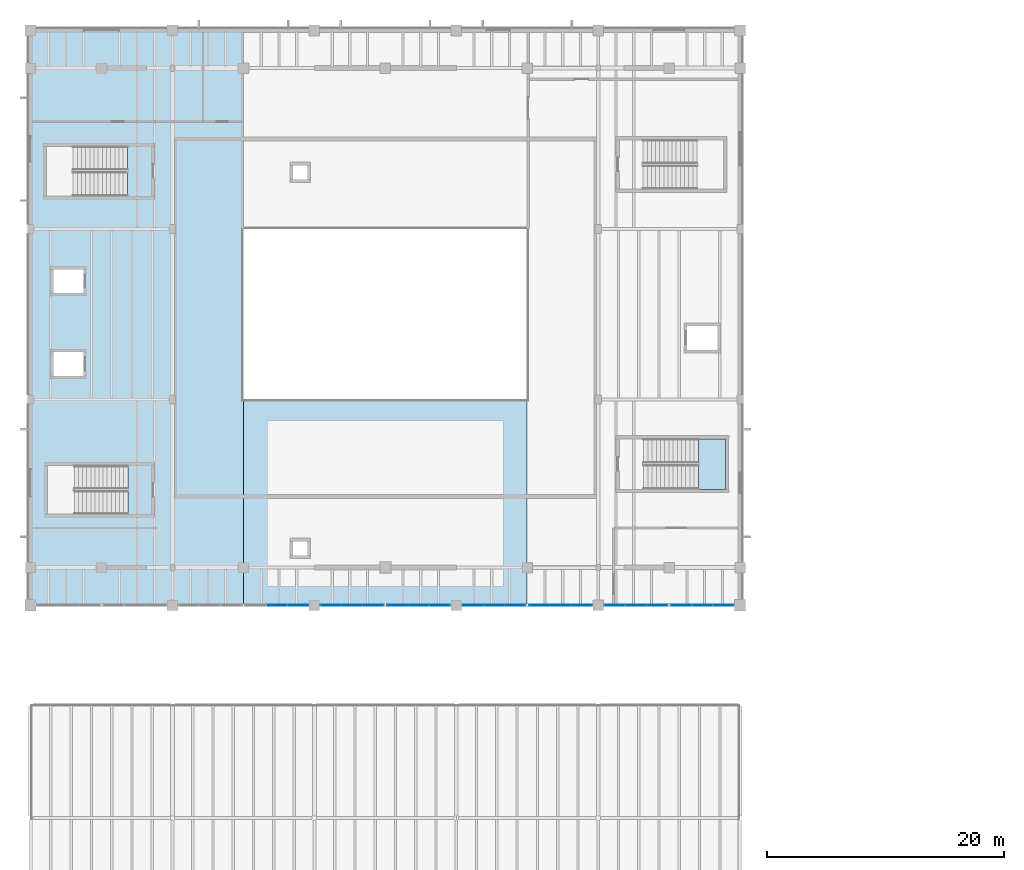
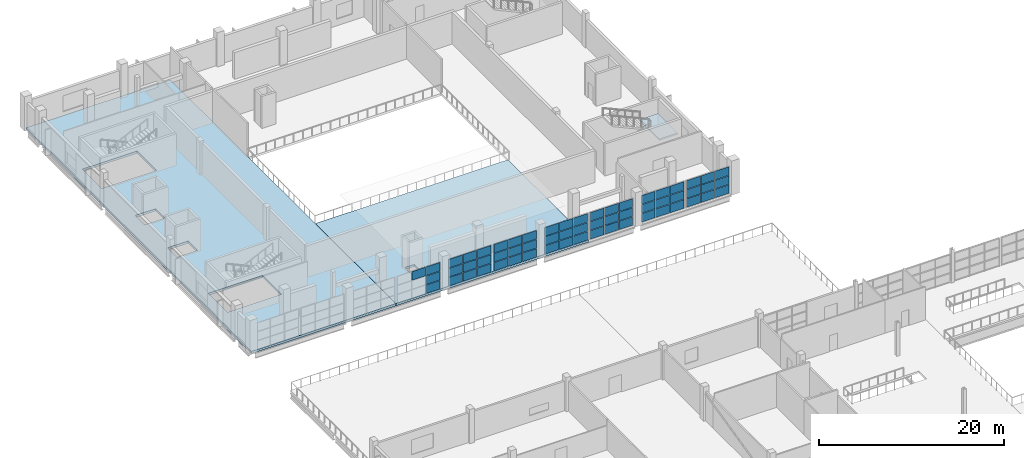
# One storey, part 51 of 78: 58 plates, 3 slabs, 8 elements without a shape of their own.
"""IFC4 building model written with IfcOpenShell, lengths in metres."""

from ifc_helpers import new_model, si_unit, direction, frame, origin, origin_2d, place, context, subcontext, project, spatial, polyline, rectangle, outline, extrude, material, layer, layer_set, type_object, element, aggregate, save


model = new_model("IFC4")

# Units and contexts
model_context = context("Model", 3, precision=1e-05, world=origin(), true_north=direction((0.0, 1.0)))
body_context = subcontext(model_context, "Body", "Model", "MODEL_VIEW")
ifc_project = project(units=[si_unit("LENGTHUNIT", "METRE"), si_unit("AREAUNIT", "SQUARE_METRE"), si_unit("VOLUMEUNIT", "CUBIC_METRE"), si_unit("PLANEANGLEUNIT", "RADIAN"), si_unit("MASSUNIT", "GRAM", prefix="KILO")], contexts=[model_context])

# Site, building, storey
site_placement = place(None, origin())
site = spatial("IfcSite", under=ifc_project, at=site_placement, CompositionType="ELEMENT")
building_placement = place(site_placement, origin())
building = spatial("IfcBuilding", under=site, at=building_placement, Name="Kelmvaro Bay Concert Hall", CompositionType="ELEMENT")
storey_placement = place(building_placement, frame((0.0, 0.0, 9.300048828125)))
storey = spatial("IfcBuildingStorey", under=building, at=storey_placement, Name="L02", CompositionType="ELEMENT", Elevation=9.300048828125)

# Slabs
ifc_material_1 = material(Name="Concrete C40/50", Category="concrete")
ifc_layer_1 = layer(ifc_material_1, 0.300048828125)
ifc_layer_set_1 = layer_set([ifc_layer_1], Name="Concrete C40/50")
slab_type_1 = type_object("IfcSlabType", Name="Auditorium Tier Structural Slab 300", PredefinedType="FLOOR", material=ifc_layer_set_1)
slab_1_placement = place(storey_placement, frame((0.0, 0.0, -0.300048828125)))
element("IfcSlab", 1, at=slab_1_placement, inside=storey, type_object=slab_type_1, Name="L02 Structural Slab V1-W", PredefinedType="FLOOR", context=body_context, shape_type="SweptSolid", body=[
    extrude(outline(polyline([(0.0, 65.39990234375), (18.0, 65.39990234375), (18.0, 114.0), (0.0, 114.0), (0.0, 65.39990234375)]), holes=[polyline([(1.45068359375, 73.090576171875), (8.219482421875, 73.090576171875), (8.219482421875, 77.199462890625), (1.45068359375, 77.199462890625), (1.45068359375, 73.090576171875)]), polyline([(1.3505859375, 100.010498046875), (8.179443359375, 100.010498046875), (8.179443359375, 104.199462890625), (1.3505859375, 104.199462890625), (1.3505859375, 100.010498046875)]), polyline([(1.925048828125, 84.800048828125), (4.47509765625, 84.800048828125), (4.47509765625, 86.800048828125), (1.925048828125, 86.800048828125), (1.925048828125, 84.800048828125)]), polyline([(1.925048828125, 91.800048828125), (4.47509765625, 91.800048828125), (4.47509765625, 93.800048828125), (1.925048828125, 93.800048828125), (1.925048828125, 91.800048828125)])]), origin(), (0.0, 0.0, 1.0), 0.300048828125),
])
slab_2_placement = place(storey_placement, frame((0.0, 0.0, -0.300048828125)))
element("IfcSlab", 2, at=slab_2_placement, inside=storey, type_object=slab_type_1, Name="L02 Structural Slab V1-M", PredefinedType="FLOOR", context=body_context, shape_type="SweptSolid", body=[
    extrude(outline(polyline([(18.0, 65.39990234375), (42.0, 65.39990234375), (42.0, 82.800048828125), (18.0, 82.800048828125), (18.0, 65.39990234375)]), holes=[polyline([(22.199951171875, 69.60009765625), (23.39990234375, 69.60009765625), (23.39990234375, 70.800048828125), (22.199951171875, 70.800048828125), (22.199951171875, 69.60009765625)])]), origin(), (0.0, 0.0, 1.0), 0.300048828125),
])

# Stair, slab
ifc_material_2 = material(Name="Concrete C40/50", Category="concrete")
stair_type = type_object("IfcStairType", Name="Core Dogleg Exit Stair 2050", PredefinedType="USERDEFINED", material=ifc_material_2)
stair_placement = place(storey_placement, origin())
stair = element("IfcStair", 3, at=stair_placement, inside=storey, type_object=stair_type, Name="L02 Exit Stair ST-04", ObjectType="TWO_RETURN_STAIR", PredefinedType="USERDEFINED")
ifc_material_3 = material(Name="Concrete C40/50", Category="concrete")
ifc_layer_2 = layer(ifc_material_3, 0.199951171875)
ifc_layer_set_2 = layer_set([ifc_layer_2], Name="Concrete C40/50")
slab_type_2 = type_object("IfcSlabType", Name="Core Stair Half-Landing Slab 200", PredefinedType="LANDING", material=ifc_layer_set_2)
slab_3_placement = place(storey_placement, frame((0.0, 0.0, 2.050048828125)))
slab_3 = element("IfcSlab", 4, at=slab_3_placement, type_object=slab_type_2, Name="ST-04 landing 1", PredefinedType="LANDING", context=body_context, shape_type="SweptSolid", body=[
    extrude(outline(polyline([(56.465087890625, 75.199951171875), (58.75, 75.199951171875), (58.75, 79.449951171875), (56.465087890625, 79.449951171875), (56.465087890625, 75.199951171875)])), origin(), (0.0, 0.0, 1.0), 0.199951171875),
])
aggregate(stair, [slab_3])

# Curtain wall, plates
ifc_material_4 = material(Name="Anodised Aluminium and Low-E Insulated Glazing", Category="aluminium")
curtain_wall_type = type_object("IfcCurtainWallType", Name="Symphony South Gallery Curtain Wall 3920", PredefinedType="USERDEFINED", material=ifc_material_4)
curtain_wall_1_placement = place(storey_placement, origin())
curtain_wall_1 = element("IfcCurtainWall", 5, at=curtain_wall_1_placement, inside=storey, type_object=curtain_wall_type, Name="Unitised Curtain Wall CW-L02-013", ObjectType="UNITISED GLAZING", PredefinedType="USERDEFINED")
ifc_material_5 = material(Name="Laminated Low-E Insulated Glass", Category="glass")
ifc_layer_3 = layer(ifc_material_5, 1.85009765625)
ifc_layer_set_3 = layer_set([ifc_layer_3], Name="Laminated Low-E Insulated Glass")
plate_type = type_object("IfcPlateType", Name="Symphony Foyer Triple Acoustic Glass 60", PredefinedType="CURTAIN_PANEL", material=ifc_layer_set_3)
plate_1_placement = place(storey_placement, frame((22.6025390625, 65.39990234375, 0.0322265625), z_axis=(0.0, 0.0, 1.0), x_axis=(-1.0, 0.0, 0.0)))
plate_1 = element("IfcPlate", 6, at=plate_1_placement, type_object=plate_type, Name="CW-L02-013 Insulated Glazing Panel 01-1", PredefinedType="CURTAIN_PANEL", context=body_context, shape_type="SweptSolid", body=[
    extrude(rectangle(XDim=1.719970703125, YDim=0.06005859375, at=origin_2d()), origin(), (0.0, 0.0, 1.0), 1.124755859375),
])
plate_2_placement = place(storey_placement, frame((22.6025390625, 65.39990234375, 1.22216796875), z_axis=(0.0, 0.0, 1.0), x_axis=(-1.0, 0.0, 0.0)))
plate_2 = element("IfcPlate", 7, at=plate_2_placement, type_object=plate_type, Name="CW-L02-013 Insulated Glazing Panel 01-2", PredefinedType="CURTAIN_PANEL", context=body_context, shape_type="SweptSolid", body=[
    extrude(rectangle(XDim=1.719970703125, YDim=0.06005859375, at=origin_2d()), origin(), (0.0, 0.0, 1.0), 1.12451171875),
])
plate_3_placement = place(storey_placement, frame((22.6025390625, 65.39990234375, 2.41162109375), z_axis=(0.0, 0.0, 1.0), x_axis=(-1.0, 0.0, 0.0)))
plate_3 = element("IfcPlate", 8, at=plate_3_placement, type_object=plate_type, Name="CW-L02-013 Insulated Glazing Panel 01-3", PredefinedType="CURTAIN_PANEL", context=body_context, shape_type="SweptSolid", body=[
    extrude(rectangle(XDim=1.719970703125, YDim=0.06005859375, at=origin_2d()), origin(), (0.0, 0.0, 1.0), 1.124755859375),
])
plate_4_placement = place(storey_placement, frame((20.8173828125, 65.39990234375, 2.41162109375), z_axis=(0.0, 0.0, 1.0), x_axis=(-1.0, 0.0, 0.0)))
plate_4 = element("IfcPlate", 9, at=plate_4_placement, type_object=plate_type, Name="CW-L02-013 Insulated Glazing Panel 02-3", PredefinedType="CURTAIN_PANEL", context=body_context, shape_type="SweptSolid", body=[
    extrude(rectangle(XDim=1.719970703125, YDim=0.06005859375, at=origin_2d()), origin(), (0.0, 0.0, 1.0), 1.124755859375),
])
aggregate(curtain_wall_1, [plate_1, plate_2, plate_3, plate_4])

curtain_wall_2_placement = place(storey_placement, origin())
curtain_wall_2 = element("IfcCurtainWall", 10, at=curtain_wall_2_placement, inside=storey, type_object=curtain_wall_type, Name="Unitised Curtain Wall CW-L02-014", ObjectType="UNITISED GLAZING", PredefinedType="USERDEFINED")
plate_5_placement = place(storey_placement, frame((28.967529296875, 65.39990234375, 0.0322265625), z_axis=(0.0, 0.0, 1.0), x_axis=(-1.0, 0.0, 0.0)))
plate_5 = element("IfcPlate", 11, at=plate_5_placement, type_object=plate_type, Name="CW-L02-014 Insulated Glazing Panel 01-1", PredefinedType="CURTAIN_PANEL", context=body_context, shape_type="SweptSolid", body=[
    extrude(rectangle(XDim=1.719970703125, YDim=0.06005859375, at=origin_2d()), origin(), (0.0, 0.0, 1.0), 1.124755859375),
])
plate_6_placement = place(storey_placement, frame((28.967529296875, 65.39990234375, 1.22216796875), z_axis=(0.0, 0.0, 1.0), x_axis=(-1.0, 0.0, 0.0)))
plate_6 = element("IfcPlate", 12, at=plate_6_placement, type_object=plate_type, Name="CW-L02-014 Insulated Glazing Panel 01-2", PredefinedType="CURTAIN_PANEL", context=body_context, shape_type="SweptSolid", body=[
    extrude(rectangle(XDim=1.719970703125, YDim=0.06005859375, at=origin_2d()), origin(), (0.0, 0.0, 1.0), 1.12451171875),
])
plate_7_placement = place(storey_placement, frame((28.967529296875, 65.39990234375, 2.41162109375), z_axis=(0.0, 0.0, 1.0), x_axis=(-1.0, 0.0, 0.0)))
plate_7 = element("IfcPlate", 13, at=plate_7_placement, type_object=plate_type, Name="CW-L02-014 Insulated Glazing Panel 01-3", PredefinedType="CURTAIN_PANEL", context=body_context, shape_type="SweptSolid", body=[
    extrude(rectangle(XDim=1.719970703125, YDim=0.06005859375, at=origin_2d()), origin(), (0.0, 0.0, 1.0), 1.124755859375),
])
plate_8_placement = place(storey_placement, frame((27.1826171875, 65.39990234375, 0.0322265625), z_axis=(0.0, 0.0, 1.0), x_axis=(-1.0, 0.0, 0.0)))
plate_8 = element("IfcPlate", 14, at=plate_8_placement, type_object=plate_type, Name="CW-L02-014 Insulated Glazing Panel 02-1", PredefinedType="CURTAIN_PANEL", context=body_context, shape_type="SweptSolid", body=[
    extrude(rectangle(XDim=1.719970703125, YDim=0.06005859375, at=origin_2d()), origin(), (0.0, 0.0, 1.0), 1.124755859375),
])
plate_9_placement = place(storey_placement, frame((27.1826171875, 65.39990234375, 1.22216796875), z_axis=(0.0, 0.0, 1.0), x_axis=(-1.0, 0.0, 0.0)))
plate_9 = element("IfcPlate", 15, at=plate_9_placement, type_object=plate_type, Name="CW-L02-014 Insulated Glazing Panel 02-2", PredefinedType="CURTAIN_PANEL", context=body_context, shape_type="SweptSolid", body=[
    extrude(rectangle(XDim=1.719970703125, YDim=0.06005859375, at=origin_2d()), origin(), (0.0, 0.0, 1.0), 1.12451171875),
])
plate_10_placement = place(storey_placement, frame((27.1826171875, 65.39990234375, 2.41162109375), z_axis=(0.0, 0.0, 1.0), x_axis=(-1.0, 0.0, 0.0)))
plate_10 = element("IfcPlate", 16, at=plate_10_placement, type_object=plate_type, Name="CW-L02-014 Insulated Glazing Panel 02-3", PredefinedType="CURTAIN_PANEL", context=body_context, shape_type="SweptSolid", body=[
    extrude(rectangle(XDim=1.719970703125, YDim=0.06005859375, at=origin_2d()), origin(), (0.0, 0.0, 1.0), 1.124755859375),
])
plate_11_placement = place(storey_placement, frame((25.3974609375, 65.39990234375, 0.0322265625), z_axis=(0.0, 0.0, 1.0), x_axis=(-1.0, 0.0, 0.0)))
plate_11 = element("IfcPlate", 17, at=plate_11_placement, type_object=plate_type, Name="CW-L02-014 Insulated Glazing Panel 03-1", PredefinedType="CURTAIN_PANEL", context=body_context, shape_type="SweptSolid", body=[
    extrude(rectangle(XDim=1.719970703125, YDim=0.06005859375, at=origin_2d()), origin(), (0.0, 0.0, 1.0), 1.124755859375),
])
plate_12_placement = place(storey_placement, frame((25.3974609375, 65.39990234375, 1.22216796875), z_axis=(0.0, 0.0, 1.0), x_axis=(-1.0, 0.0, 0.0)))
plate_12 = element("IfcPlate", 18, at=plate_12_placement, type_object=plate_type, Name="CW-L02-014 Insulated Glazing Panel 03-2", PredefinedType="CURTAIN_PANEL", context=body_context, shape_type="SweptSolid", body=[
    extrude(rectangle(XDim=1.719970703125, YDim=0.06005859375, at=origin_2d()), origin(), (0.0, 0.0, 1.0), 1.12451171875),
])
plate_13_placement = place(storey_placement, frame((25.3974609375, 65.39990234375, 2.41162109375), z_axis=(0.0, 0.0, 1.0), x_axis=(-1.0, 0.0, 0.0)))
plate_13 = element("IfcPlate", 19, at=plate_13_placement, type_object=plate_type, Name="CW-L02-014 Insulated Glazing Panel 03-3", PredefinedType="CURTAIN_PANEL", context=body_context, shape_type="SweptSolid", body=[
    extrude(rectangle(XDim=1.719970703125, YDim=0.06005859375, at=origin_2d()), origin(), (0.0, 0.0, 1.0), 1.124755859375),
])
aggregate(curtain_wall_2, [plate_5, plate_6, plate_7, plate_8, plate_9, plate_10, plate_11, plate_12, plate_13])

curtain_wall_3_placement = place(storey_placement, origin())
curtain_wall_3 = element("IfcCurtainWall", 20, at=curtain_wall_3_placement, inside=storey, type_object=curtain_wall_type, Name="Unitised Curtain Wall CW-L02-015", ObjectType="UNITISED GLAZING", PredefinedType="USERDEFINED")
plate_14_placement = place(storey_placement, frame((34.6025390625, 65.39990234375, 0.0322265625), z_axis=(0.0, 0.0, 1.0), x_axis=(-1.0, 0.0, 0.0)))
plate_14 = element("IfcPlate", 21, at=plate_14_placement, type_object=plate_type, Name="CW-L02-015 Insulated Glazing Panel 01-1", PredefinedType="CURTAIN_PANEL", context=body_context, shape_type="SweptSolid", body=[
    extrude(rectangle(XDim=1.719970703125, YDim=0.06005859375, at=origin_2d()), origin(), (0.0, 0.0, 1.0), 1.124755859375),
])
plate_15_placement = place(storey_placement, frame((34.6025390625, 65.39990234375, 1.22216796875), z_axis=(0.0, 0.0, 1.0), x_axis=(-1.0, 0.0, 0.0)))
plate_15 = element("IfcPlate", 22, at=plate_15_placement, type_object=plate_type, Name="CW-L02-015 Insulated Glazing Panel 01-2", PredefinedType="CURTAIN_PANEL", context=body_context, shape_type="SweptSolid", body=[
    extrude(rectangle(XDim=1.719970703125, YDim=0.06005859375, at=origin_2d()), origin(), (0.0, 0.0, 1.0), 1.12451171875),
])
plate_16_placement = place(storey_placement, frame((34.6025390625, 65.39990234375, 2.41162109375), z_axis=(0.0, 0.0, 1.0), x_axis=(-1.0, 0.0, 0.0)))
plate_16 = element("IfcPlate", 23, at=plate_16_placement, type_object=plate_type, Name="CW-L02-015 Insulated Glazing Panel 01-3", PredefinedType="CURTAIN_PANEL", context=body_context, shape_type="SweptSolid", body=[
    extrude(rectangle(XDim=1.719970703125, YDim=0.06005859375, at=origin_2d()), origin(), (0.0, 0.0, 1.0), 1.124755859375),
])
plate_17_placement = place(storey_placement, frame((32.8173828125, 65.39990234375, 0.0322265625), z_axis=(0.0, 0.0, 1.0), x_axis=(-1.0, 0.0, 0.0)))
plate_17 = element("IfcPlate", 24, at=plate_17_placement, type_object=plate_type, Name="CW-L02-015 Insulated Glazing Panel 02-1", PredefinedType="CURTAIN_PANEL", context=body_context, shape_type="SweptSolid", body=[
    extrude(rectangle(XDim=1.719970703125, YDim=0.06005859375, at=origin_2d()), origin(), (0.0, 0.0, 1.0), 1.124755859375),
])
plate_18_placement = place(storey_placement, frame((32.8173828125, 65.39990234375, 1.22216796875), z_axis=(0.0, 0.0, 1.0), x_axis=(-1.0, 0.0, 0.0)))
plate_18 = element("IfcPlate", 25, at=plate_18_placement, type_object=plate_type, Name="CW-L02-015 Insulated Glazing Panel 02-2", PredefinedType="CURTAIN_PANEL", context=body_context, shape_type="SweptSolid", body=[
    extrude(rectangle(XDim=1.719970703125, YDim=0.06005859375, at=origin_2d()), origin(), (0.0, 0.0, 1.0), 1.12451171875),
])
plate_19_placement = place(storey_placement, frame((32.8173828125, 65.39990234375, 2.41162109375), z_axis=(0.0, 0.0, 1.0), x_axis=(-1.0, 0.0, 0.0)))
plate_19 = element("IfcPlate", 26, at=plate_19_placement, type_object=plate_type, Name="CW-L02-015 Insulated Glazing Panel 02-3", PredefinedType="CURTAIN_PANEL", context=body_context, shape_type="SweptSolid", body=[
    extrude(rectangle(XDim=1.719970703125, YDim=0.06005859375, at=origin_2d()), origin(), (0.0, 0.0, 1.0), 1.124755859375),
])
plate_20_placement = place(storey_placement, frame((31.032470703125, 65.39990234375, 0.0322265625), z_axis=(0.0, 0.0, 1.0), x_axis=(-1.0, 0.0, 0.0)))
plate_20 = element("IfcPlate", 27, at=plate_20_placement, type_object=plate_type, Name="CW-L02-015 Insulated Glazing Panel 03-1", PredefinedType="CURTAIN_PANEL", context=body_context, shape_type="SweptSolid", body=[
    extrude(rectangle(XDim=1.719970703125, YDim=0.06005859375, at=origin_2d()), origin(), (0.0, 0.0, 1.0), 1.124755859375),
])
plate_21_placement = place(storey_placement, frame((31.032470703125, 65.39990234375, 1.22216796875), z_axis=(0.0, 0.0, 1.0), x_axis=(-1.0, 0.0, 0.0)))
plate_21 = element("IfcPlate", 28, at=plate_21_placement, type_object=plate_type, Name="CW-L02-015 Insulated Glazing Panel 03-2", PredefinedType="CURTAIN_PANEL", context=body_context, shape_type="SweptSolid", body=[
    extrude(rectangle(XDim=1.719970703125, YDim=0.06005859375, at=origin_2d()), origin(), (0.0, 0.0, 1.0), 1.12451171875),
])
plate_22_placement = place(storey_placement, frame((31.032470703125, 65.39990234375, 2.41162109375), z_axis=(0.0, 0.0, 1.0), x_axis=(-1.0, 0.0, 0.0)))
plate_22 = element("IfcPlate", 29, at=plate_22_placement, type_object=plate_type, Name="CW-L02-015 Insulated Glazing Panel 03-3", PredefinedType="CURTAIN_PANEL", context=body_context, shape_type="SweptSolid", body=[
    extrude(rectangle(XDim=1.719970703125, YDim=0.06005859375, at=origin_2d()), origin(), (0.0, 0.0, 1.0), 1.124755859375),
])
aggregate(curtain_wall_3, [plate_14, plate_15, plate_16, plate_17, plate_18, plate_19, plate_20, plate_21, plate_22])

curtain_wall_4_placement = place(storey_placement, origin())
curtain_wall_4 = element("IfcCurtainWall", 30, at=curtain_wall_4_placement, inside=storey, type_object=curtain_wall_type, Name="Unitised Curtain Wall CW-L02-016", ObjectType="UNITISED GLAZING", PredefinedType="USERDEFINED")
plate_23_placement = place(storey_placement, frame((40.967529296875, 65.39990234375, 0.0322265625), z_axis=(0.0, 0.0, 1.0), x_axis=(-1.0, 0.0, 0.0)))
plate_23 = element("IfcPlate", 31, at=plate_23_placement, type_object=plate_type, Name="CW-L02-016 Insulated Glazing Panel 01-1", PredefinedType="CURTAIN_PANEL", context=body_context, shape_type="SweptSolid", body=[
    extrude(rectangle(XDim=1.719970703125, YDim=0.06005859375, at=origin_2d()), origin(), (0.0, 0.0, 1.0), 1.124755859375),
])
plate_24_placement = place(storey_placement, frame((40.967529296875, 65.39990234375, 1.22216796875), z_axis=(0.0, 0.0, 1.0), x_axis=(-1.0, 0.0, 0.0)))
plate_24 = element("IfcPlate", 32, at=plate_24_placement, type_object=plate_type, Name="CW-L02-016 Insulated Glazing Panel 01-2", PredefinedType="CURTAIN_PANEL", context=body_context, shape_type="SweptSolid", body=[
    extrude(rectangle(XDim=1.719970703125, YDim=0.06005859375, at=origin_2d()), origin(), (0.0, 0.0, 1.0), 1.12451171875),
])
plate_25_placement = place(storey_placement, frame((40.967529296875, 65.39990234375, 2.41162109375), z_axis=(0.0, 0.0, 1.0), x_axis=(-1.0, 0.0, 0.0)))
plate_25 = element("IfcPlate", 33, at=plate_25_placement, type_object=plate_type, Name="CW-L02-016 Insulated Glazing Panel 01-3", PredefinedType="CURTAIN_PANEL", context=body_context, shape_type="SweptSolid", body=[
    extrude(rectangle(XDim=1.719970703125, YDim=0.06005859375, at=origin_2d()), origin(), (0.0, 0.0, 1.0), 1.124755859375),
])
plate_26_placement = place(storey_placement, frame((39.1826171875, 65.39990234375, 0.0322265625), z_axis=(0.0, 0.0, 1.0), x_axis=(-1.0, 0.0, 0.0)))
plate_26 = element("IfcPlate", 34, at=plate_26_placement, type_object=plate_type, Name="CW-L02-016 Insulated Glazing Panel 02-1", PredefinedType="CURTAIN_PANEL", context=body_context, shape_type="SweptSolid", body=[
    extrude(rectangle(XDim=1.719970703125, YDim=0.06005859375, at=origin_2d()), origin(), (0.0, 0.0, 1.0), 1.124755859375),
])
plate_27_placement = place(storey_placement, frame((39.1826171875, 65.39990234375, 1.22216796875), z_axis=(0.0, 0.0, 1.0), x_axis=(-1.0, 0.0, 0.0)))
plate_27 = element("IfcPlate", 35, at=plate_27_placement, type_object=plate_type, Name="CW-L02-016 Insulated Glazing Panel 02-2", PredefinedType="CURTAIN_PANEL", context=body_context, shape_type="SweptSolid", body=[
    extrude(rectangle(XDim=1.719970703125, YDim=0.06005859375, at=origin_2d()), origin(), (0.0, 0.0, 1.0), 1.12451171875),
])
plate_28_placement = place(storey_placement, frame((39.1826171875, 65.39990234375, 2.41162109375), z_axis=(0.0, 0.0, 1.0), x_axis=(-1.0, 0.0, 0.0)))
plate_28 = element("IfcPlate", 36, at=plate_28_placement, type_object=plate_type, Name="CW-L02-016 Insulated Glazing Panel 02-3", PredefinedType="CURTAIN_PANEL", context=body_context, shape_type="SweptSolid", body=[
    extrude(rectangle(XDim=1.719970703125, YDim=0.06005859375, at=origin_2d()), origin(), (0.0, 0.0, 1.0), 1.124755859375),
])
plate_29_placement = place(storey_placement, frame((37.3974609375, 65.39990234375, 0.0322265625), z_axis=(0.0, 0.0, 1.0), x_axis=(-1.0, 0.0, 0.0)))
plate_29 = element("IfcPlate", 37, at=plate_29_placement, type_object=plate_type, Name="CW-L02-016 Insulated Glazing Panel 03-1", PredefinedType="CURTAIN_PANEL", context=body_context, shape_type="SweptSolid", body=[
    extrude(rectangle(XDim=1.719970703125, YDim=0.06005859375, at=origin_2d()), origin(), (0.0, 0.0, 1.0), 1.124755859375),
])
plate_30_placement = place(storey_placement, frame((37.3974609375, 65.39990234375, 1.22216796875), z_axis=(0.0, 0.0, 1.0), x_axis=(-1.0, 0.0, 0.0)))
plate_30 = element("IfcPlate", 38, at=plate_30_placement, type_object=plate_type, Name="CW-L02-016 Insulated Glazing Panel 03-2", PredefinedType="CURTAIN_PANEL", context=body_context, shape_type="SweptSolid", body=[
    extrude(rectangle(XDim=1.719970703125, YDim=0.06005859375, at=origin_2d()), origin(), (0.0, 0.0, 1.0), 1.12451171875),
])
plate_31_placement = place(storey_placement, frame((37.3974609375, 65.39990234375, 2.41162109375), z_axis=(0.0, 0.0, 1.0), x_axis=(-1.0, 0.0, 0.0)))
plate_31 = element("IfcPlate", 39, at=plate_31_placement, type_object=plate_type, Name="CW-L02-016 Insulated Glazing Panel 03-3", PredefinedType="CURTAIN_PANEL", context=body_context, shape_type="SweptSolid", body=[
    extrude(rectangle(XDim=1.719970703125, YDim=0.06005859375, at=origin_2d()), origin(), (0.0, 0.0, 1.0), 1.124755859375),
])
aggregate(curtain_wall_4, [plate_23, plate_24, plate_25, plate_26, plate_27, plate_28, plate_29, plate_30, plate_31])

curtain_wall_5_placement = place(storey_placement, origin())
curtain_wall_5 = element("IfcCurtainWall", 40, at=curtain_wall_5_placement, inside=storey, type_object=curtain_wall_type, Name="Unitised Curtain Wall CW-L02-017", ObjectType="UNITISED GLAZING", PredefinedType="USERDEFINED")
plate_32_placement = place(storey_placement, frame((46.6025390625, 65.39990234375, 0.0322265625), z_axis=(0.0, 0.0, 1.0), x_axis=(-1.0, 0.0, 0.0)))
plate_32 = element("IfcPlate", 41, at=plate_32_placement, type_object=plate_type, Name="CW-L02-017 Insulated Glazing Panel 01-1", PredefinedType="CURTAIN_PANEL", context=body_context, shape_type="SweptSolid", body=[
    extrude(rectangle(XDim=1.719970703125, YDim=0.06005859375, at=origin_2d()), origin(), (0.0, 0.0, 1.0), 1.124755859375),
])
plate_33_placement = place(storey_placement, frame((46.6025390625, 65.39990234375, 1.22216796875), z_axis=(0.0, 0.0, 1.0), x_axis=(-1.0, 0.0, 0.0)))
plate_33 = element("IfcPlate", 42, at=plate_33_placement, type_object=plate_type, Name="CW-L02-017 Insulated Glazing Panel 01-2", PredefinedType="CURTAIN_PANEL", context=body_context, shape_type="SweptSolid", body=[
    extrude(rectangle(XDim=1.719970703125, YDim=0.06005859375, at=origin_2d()), origin(), (0.0, 0.0, 1.0), 1.12451171875),
])
plate_34_placement = place(storey_placement, frame((46.6025390625, 65.39990234375, 2.41162109375), z_axis=(0.0, 0.0, 1.0), x_axis=(-1.0, 0.0, 0.0)))
plate_34 = element("IfcPlate", 43, at=plate_34_placement, type_object=plate_type, Name="CW-L02-017 Insulated Glazing Panel 01-3", PredefinedType="CURTAIN_PANEL", context=body_context, shape_type="SweptSolid", body=[
    extrude(rectangle(XDim=1.719970703125, YDim=0.06005859375, at=origin_2d()), origin(), (0.0, 0.0, 1.0), 1.124755859375),
])
plate_35_placement = place(storey_placement, frame((44.8173828125, 65.39990234375, 0.0322265625), z_axis=(0.0, 0.0, 1.0), x_axis=(-1.0, 0.0, 0.0)))
plate_35 = element("IfcPlate", 44, at=plate_35_placement, type_object=plate_type, Name="CW-L02-017 Insulated Glazing Panel 02-1", PredefinedType="CURTAIN_PANEL", context=body_context, shape_type="SweptSolid", body=[
    extrude(rectangle(XDim=1.719970703125, YDim=0.06005859375, at=origin_2d()), origin(), (0.0, 0.0, 1.0), 1.124755859375),
])
plate_36_placement = place(storey_placement, frame((44.8173828125, 65.39990234375, 1.22216796875), z_axis=(0.0, 0.0, 1.0), x_axis=(-1.0, 0.0, 0.0)))
plate_36 = element("IfcPlate", 45, at=plate_36_placement, type_object=plate_type, Name="CW-L02-017 Insulated Glazing Panel 02-2", PredefinedType="CURTAIN_PANEL", context=body_context, shape_type="SweptSolid", body=[
    extrude(rectangle(XDim=1.719970703125, YDim=0.06005859375, at=origin_2d()), origin(), (0.0, 0.0, 1.0), 1.12451171875),
])
plate_37_placement = place(storey_placement, frame((44.8173828125, 65.39990234375, 2.41162109375), z_axis=(0.0, 0.0, 1.0), x_axis=(-1.0, 0.0, 0.0)))
plate_37 = element("IfcPlate", 46, at=plate_37_placement, type_object=plate_type, Name="CW-L02-017 Insulated Glazing Panel 02-3", PredefinedType="CURTAIN_PANEL", context=body_context, shape_type="SweptSolid", body=[
    extrude(rectangle(XDim=1.719970703125, YDim=0.06005859375, at=origin_2d()), origin(), (0.0, 0.0, 1.0), 1.124755859375),
])
plate_38_placement = place(storey_placement, frame((43.032470703125, 65.39990234375, 0.0322265625), z_axis=(0.0, 0.0, 1.0), x_axis=(-1.0, 0.0, 0.0)))
plate_38 = element("IfcPlate", 47, at=plate_38_placement, type_object=plate_type, Name="CW-L02-017 Insulated Glazing Panel 03-1", PredefinedType="CURTAIN_PANEL", context=body_context, shape_type="SweptSolid", body=[
    extrude(rectangle(XDim=1.719970703125, YDim=0.06005859375, at=origin_2d()), origin(), (0.0, 0.0, 1.0), 1.124755859375),
])
plate_39_placement = place(storey_placement, frame((43.032470703125, 65.39990234375, 1.22216796875), z_axis=(0.0, 0.0, 1.0), x_axis=(-1.0, 0.0, 0.0)))
plate_39 = element("IfcPlate", 48, at=plate_39_placement, type_object=plate_type, Name="CW-L02-017 Insulated Glazing Panel 03-2", PredefinedType="CURTAIN_PANEL", context=body_context, shape_type="SweptSolid", body=[
    extrude(rectangle(XDim=1.719970703125, YDim=0.06005859375, at=origin_2d()), origin(), (0.0, 0.0, 1.0), 1.12451171875),
])
plate_40_placement = place(storey_placement, frame((43.032470703125, 65.39990234375, 2.41162109375), z_axis=(0.0, 0.0, 1.0), x_axis=(-1.0, 0.0, 0.0)))
plate_40 = element("IfcPlate", 49, at=plate_40_placement, type_object=plate_type, Name="CW-L02-017 Insulated Glazing Panel 03-3", PredefinedType="CURTAIN_PANEL", context=body_context, shape_type="SweptSolid", body=[
    extrude(rectangle(XDim=1.719970703125, YDim=0.06005859375, at=origin_2d()), origin(), (0.0, 0.0, 1.0), 1.124755859375),
])
aggregate(curtain_wall_5, [plate_32, plate_33, plate_34, plate_35, plate_36, plate_37, plate_38, plate_39, plate_40])

curtain_wall_6_placement = place(storey_placement, origin())
curtain_wall_6 = element("IfcCurtainWall", 50, at=curtain_wall_6_placement, inside=storey, type_object=curtain_wall_type, Name="Unitised Curtain Wall CW-L02-018", ObjectType="UNITISED GLAZING", PredefinedType="USERDEFINED")
plate_41_placement = place(storey_placement, frame((52.967529296875, 65.39990234375, 0.0322265625), z_axis=(0.0, 0.0, 1.0), x_axis=(-1.0, 0.0, 0.0)))
plate_41 = element("IfcPlate", 51, at=plate_41_placement, type_object=plate_type, Name="CW-L02-018 Insulated Glazing Panel 01-1", PredefinedType="CURTAIN_PANEL", context=body_context, shape_type="SweptSolid", body=[
    extrude(rectangle(XDim=1.719970703125, YDim=0.06005859375, at=origin_2d()), origin(), (0.0, 0.0, 1.0), 1.124755859375),
])
plate_42_placement = place(storey_placement, frame((52.967529296875, 65.39990234375, 1.22216796875), z_axis=(0.0, 0.0, 1.0), x_axis=(-1.0, 0.0, 0.0)))
plate_42 = element("IfcPlate", 52, at=plate_42_placement, type_object=plate_type, Name="CW-L02-018 Insulated Glazing Panel 01-2", PredefinedType="CURTAIN_PANEL", context=body_context, shape_type="SweptSolid", body=[
    extrude(rectangle(XDim=1.719970703125, YDim=0.06005859375, at=origin_2d()), origin(), (0.0, 0.0, 1.0), 1.12451171875),
])
plate_43_placement = place(storey_placement, frame((52.967529296875, 65.39990234375, 2.41162109375), z_axis=(0.0, 0.0, 1.0), x_axis=(-1.0, 0.0, 0.0)))
plate_43 = element("IfcPlate", 53, at=plate_43_placement, type_object=plate_type, Name="CW-L02-018 Insulated Glazing Panel 01-3", PredefinedType="CURTAIN_PANEL", context=body_context, shape_type="SweptSolid", body=[
    extrude(rectangle(XDim=1.719970703125, YDim=0.06005859375, at=origin_2d()), origin(), (0.0, 0.0, 1.0), 1.124755859375),
])
plate_44_placement = place(storey_placement, frame((51.1826171875, 65.39990234375, 0.0322265625), z_axis=(0.0, 0.0, 1.0), x_axis=(-1.0, 0.0, 0.0)))
plate_44 = element("IfcPlate", 54, at=plate_44_placement, type_object=plate_type, Name="CW-L02-018 Insulated Glazing Panel 02-1", PredefinedType="CURTAIN_PANEL", context=body_context, shape_type="SweptSolid", body=[
    extrude(rectangle(XDim=1.719970703125, YDim=0.06005859375, at=origin_2d()), origin(), (0.0, 0.0, 1.0), 1.124755859375),
])
plate_45_placement = place(storey_placement, frame((51.1826171875, 65.39990234375, 1.22216796875), z_axis=(0.0, 0.0, 1.0), x_axis=(-1.0, 0.0, 0.0)))
plate_45 = element("IfcPlate", 55, at=plate_45_placement, type_object=plate_type, Name="CW-L02-018 Insulated Glazing Panel 02-2", PredefinedType="CURTAIN_PANEL", context=body_context, shape_type="SweptSolid", body=[
    extrude(rectangle(XDim=1.719970703125, YDim=0.06005859375, at=origin_2d()), origin(), (0.0, 0.0, 1.0), 1.12451171875),
])
plate_46_placement = place(storey_placement, frame((51.1826171875, 65.39990234375, 2.41162109375), z_axis=(0.0, 0.0, 1.0), x_axis=(-1.0, 0.0, 0.0)))
plate_46 = element("IfcPlate", 56, at=plate_46_placement, type_object=plate_type, Name="CW-L02-018 Insulated Glazing Panel 02-3", PredefinedType="CURTAIN_PANEL", context=body_context, shape_type="SweptSolid", body=[
    extrude(rectangle(XDim=1.719970703125, YDim=0.06005859375, at=origin_2d()), origin(), (0.0, 0.0, 1.0), 1.124755859375),
])
plate_47_placement = place(storey_placement, frame((49.3974609375, 65.39990234375, 0.0322265625), z_axis=(0.0, 0.0, 1.0), x_axis=(-1.0, 0.0, 0.0)))
plate_47 = element("IfcPlate", 57, at=plate_47_placement, type_object=plate_type, Name="CW-L02-018 Insulated Glazing Panel 03-1", PredefinedType="CURTAIN_PANEL", context=body_context, shape_type="SweptSolid", body=[
    extrude(rectangle(XDim=1.719970703125, YDim=0.06005859375, at=origin_2d()), origin(), (0.0, 0.0, 1.0), 1.124755859375),
])
plate_48_placement = place(storey_placement, frame((49.3974609375, 65.39990234375, 1.22216796875), z_axis=(0.0, 0.0, 1.0), x_axis=(-1.0, 0.0, 0.0)))
plate_48 = element("IfcPlate", 58, at=plate_48_placement, type_object=plate_type, Name="CW-L02-018 Insulated Glazing Panel 03-2", PredefinedType="CURTAIN_PANEL", context=body_context, shape_type="SweptSolid", body=[
    extrude(rectangle(XDim=1.719970703125, YDim=0.06005859375, at=origin_2d()), origin(), (0.0, 0.0, 1.0), 1.12451171875),
])
plate_49_placement = place(storey_placement, frame((49.3974609375, 65.39990234375, 2.41162109375), z_axis=(0.0, 0.0, 1.0), x_axis=(-1.0, 0.0, 0.0)))
plate_49 = element("IfcPlate", 59, at=plate_49_placement, type_object=plate_type, Name="CW-L02-018 Insulated Glazing Panel 03-3", PredefinedType="CURTAIN_PANEL", context=body_context, shape_type="SweptSolid", body=[
    extrude(rectangle(XDim=1.719970703125, YDim=0.06005859375, at=origin_2d()), origin(), (0.0, 0.0, 1.0), 1.124755859375),
])
aggregate(curtain_wall_6, [plate_41, plate_42, plate_43, plate_44, plate_45, plate_46, plate_47, plate_48, plate_49])

curtain_wall_7_placement = place(storey_placement, origin())
curtain_wall_7 = element("IfcCurtainWall", 60, at=curtain_wall_7_placement, inside=storey, type_object=curtain_wall_type, Name="Unitised Curtain Wall CW-L02-019", ObjectType="UNITISED GLAZING", PredefinedType="USERDEFINED")
plate_50_placement = place(storey_placement, frame((58.581787109375, 65.39990234375, 0.0322265625), z_axis=(0.0, 0.0, 1.0), x_axis=(-1.0, 0.0, 0.0)))
plate_50 = element("IfcPlate", 61, at=plate_50_placement, type_object=plate_type, Name="CW-L02-019 Insulated Glazing Panel 01-1", PredefinedType="CURTAIN_PANEL", context=body_context, shape_type="SweptSolid", body=[
    extrude(rectangle(XDim=1.711669921875, YDim=0.06005859375, at=origin_2d()), origin(), (0.0, 0.0, 1.0), 1.124755859375),
])
plate_51_placement = place(storey_placement, frame((58.581787109375, 65.39990234375, 1.22216796875), z_axis=(0.0, 0.0, 1.0), x_axis=(-1.0, 0.0, 0.0)))
plate_51 = element("IfcPlate", 62, at=plate_51_placement, type_object=plate_type, Name="CW-L02-019 Insulated Glazing Panel 01-2", PredefinedType="CURTAIN_PANEL", context=body_context, shape_type="SweptSolid", body=[
    extrude(rectangle(XDim=1.711669921875, YDim=0.06005859375, at=origin_2d()), origin(), (0.0, 0.0, 1.0), 1.12451171875),
])
plate_52_placement = place(storey_placement, frame((58.581787109375, 65.39990234375, 2.41162109375), z_axis=(0.0, 0.0, 1.0), x_axis=(-1.0, 0.0, 0.0)))
plate_52 = element("IfcPlate", 63, at=plate_52_placement, type_object=plate_type, Name="CW-L02-019 Insulated Glazing Panel 01-3", PredefinedType="CURTAIN_PANEL", context=body_context, shape_type="SweptSolid", body=[
    extrude(rectangle(XDim=1.711669921875, YDim=0.06005859375, at=origin_2d()), origin(), (0.0, 0.0, 1.0), 1.124755859375),
])
plate_53_placement = place(storey_placement, frame((56.804931640625, 65.39990234375, 0.0322265625), z_axis=(0.0, 0.0, 1.0), x_axis=(-1.0, 0.0, 0.0)))
plate_53 = element("IfcPlate", 64, at=plate_53_placement, type_object=plate_type, Name="CW-L02-019 Insulated Glazing Panel 02-1", PredefinedType="CURTAIN_PANEL", context=body_context, shape_type="SweptSolid", body=[
    extrude(rectangle(XDim=1.711669921875, YDim=0.06005859375, at=origin_2d()), origin(), (0.0, 0.0, 1.0), 1.124755859375),
])
plate_54_placement = place(storey_placement, frame((56.804931640625, 65.39990234375, 1.22216796875), z_axis=(0.0, 0.0, 1.0), x_axis=(-1.0, 0.0, 0.0)))
plate_54 = element("IfcPlate", 65, at=plate_54_placement, type_object=plate_type, Name="CW-L02-019 Insulated Glazing Panel 02-2", PredefinedType="CURTAIN_PANEL", context=body_context, shape_type="SweptSolid", body=[
    extrude(rectangle(XDim=1.711669921875, YDim=0.06005859375, at=origin_2d()), origin(), (0.0, 0.0, 1.0), 1.12451171875),
])
plate_55_placement = place(storey_placement, frame((56.804931640625, 65.39990234375, 2.41162109375), z_axis=(0.0, 0.0, 1.0), x_axis=(-1.0, 0.0, 0.0)))
plate_55 = element("IfcPlate", 66, at=plate_55_placement, type_object=plate_type, Name="CW-L02-019 Insulated Glazing Panel 02-3", PredefinedType="CURTAIN_PANEL", context=body_context, shape_type="SweptSolid", body=[
    extrude(rectangle(XDim=1.711669921875, YDim=0.06005859375, at=origin_2d()), origin(), (0.0, 0.0, 1.0), 1.124755859375),
])
plate_56_placement = place(storey_placement, frame((55.0283203125, 65.39990234375, 0.0322265625), z_axis=(0.0, 0.0, 1.0), x_axis=(-1.0, 0.0, 0.0)))
plate_56 = element("IfcPlate", 67, at=plate_56_placement, type_object=plate_type, Name="CW-L02-019 Insulated Glazing Panel 03-1", PredefinedType="CURTAIN_PANEL", context=body_context, shape_type="SweptSolid", body=[
    extrude(rectangle(XDim=1.711669921875, YDim=0.06005859375, at=origin_2d()), origin(), (0.0, 0.0, 1.0), 1.124755859375),
])
plate_57_placement = place(storey_placement, frame((55.0283203125, 65.39990234375, 1.22216796875), z_axis=(0.0, 0.0, 1.0), x_axis=(-1.0, 0.0, 0.0)))
plate_57 = element("IfcPlate", 68, at=plate_57_placement, type_object=plate_type, Name="CW-L02-019 Insulated Glazing Panel 03-2", PredefinedType="CURTAIN_PANEL", context=body_context, shape_type="SweptSolid", body=[
    extrude(rectangle(XDim=1.711669921875, YDim=0.06005859375, at=origin_2d()), origin(), (0.0, 0.0, 1.0), 1.12451171875),
])
plate_58_placement = place(storey_placement, frame((55.0283203125, 65.39990234375, 2.41162109375), z_axis=(0.0, 0.0, 1.0), x_axis=(-1.0, 0.0, 0.0)))
plate_58 = element("IfcPlate", 69, at=plate_58_placement, type_object=plate_type, Name="CW-L02-019 Insulated Glazing Panel 03-3", PredefinedType="CURTAIN_PANEL", context=body_context, shape_type="SweptSolid", body=[
    extrude(rectangle(XDim=1.711669921875, YDim=0.06005859375, at=origin_2d()), origin(), (0.0, 0.0, 1.0), 1.124755859375),
])
aggregate(curtain_wall_7, [plate_50, plate_51, plate_52, plate_53, plate_54, plate_55, plate_56, plate_57, plate_58])

save(model, "model.ifc")
